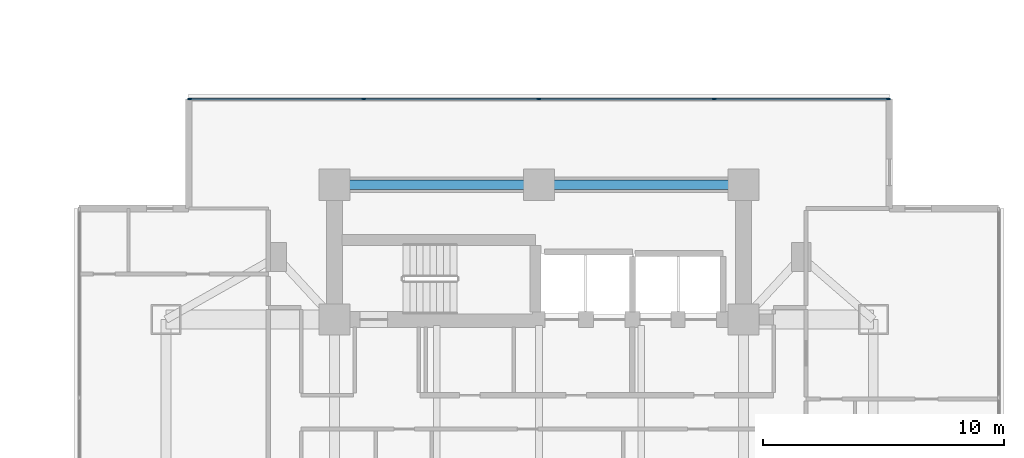
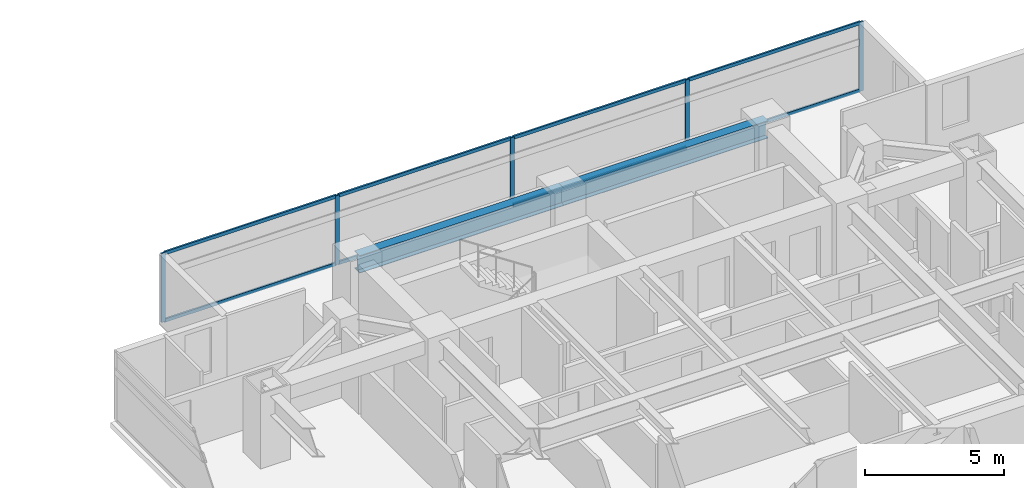
# One storey, part 12 of 27: 13 members, 2 beams, 1 element without a shape of its own.
"""IFC4 building model written with IfcOpenShell, lengths in metres."""

from ifc_helpers import new_model, si_unit, direction, frame, origin, origin_2d, place, context, subcontext, project, spatial, rectangle, i_section, extrude, material, material_profile, profile_set, type_object, element, aggregate, save


model = new_model("IFC4")

# Units and contexts
model_context = context("Model", 3, precision=1e-05, world=origin(), true_north=direction((0.0, 1.0)))
body_context = subcontext(model_context, "Body", "Model", "MODEL_VIEW")
ifc_project = project(units=[si_unit("LENGTHUNIT", "METRE"), si_unit("AREAUNIT", "SQUARE_METRE"), si_unit("VOLUMEUNIT", "CUBIC_METRE"), si_unit("PLANEANGLEUNIT", "RADIAN"), si_unit("MASSUNIT", "GRAM", prefix="KILO")], contexts=[model_context])

# Site, building, storey
site_placement = place(None, origin())
site = spatial("IfcSite", under=ifc_project, at=site_placement, CompositionType="ELEMENT")
building_placement = place(site_placement, origin())
building = spatial("IfcBuilding", under=site, at=building_placement, Name="Mirazonda Arch Towers", CompositionType="ELEMENT")
storey_placement = place(building_placement, frame((0.0, 0.0, 75.199951171875)))
storey = spatial("IfcBuildingStorey", under=building, at=storey_placement, Name="L21", CompositionType="ELEMENT", Elevation=75.199951171875)

# Beams
ifc_material_1 = material(Name="Steel ASTM A992 Grade 50", Category="steel")
ifc_material_profile_1 = material_profile(ifc_material_1, i_section(OverallWidth=0.381103515625, OverallDepth=0.77294921875, WebThickness=0.0166015625, FlangeThickness=0.027099609375, at=origin_2d()), Name="W30X173")
ifc_profile_set_1 = profile_set([ifc_material_profile_1], Name="Steel ASTM A992 Grade 50")
beam_type = type_object("IfcBeamType", Name="BM-INT-W30X173", PredefinedType="USERDEFINED", material=ifc_profile_set_1)
for number, where, z_axis, x_axis, name in (
    (1, (68.0, 40.800048828125, 2.673583984375), (1.0, 0.0, 0.0), (0.0, 1.0, 0.0), "L21 Floor Beam BM-T2-L21-CN1"),
    (2, (76.5, 40.800048828125, 2.673583984375), (1.0, 0.0, 0.0), (0.0, 1.0, 0.0), "L21 Floor Beam BM-T2-L21-CN2"),
):
    element("IfcBeam", number, at=place(storey_placement, frame(where, z_axis=z_axis, x_axis=x_axis)), inside=storey, type_object=beam_type, Name=name, ObjectType="GIRDER", PredefinedType="USERDEFINED", context=body_context, shape_type="SweptSolid", body=[
        extrude(i_section(OverallWidth=0.381103515625, OverallDepth=0.77294921875, WebThickness=0.0166015625, FlangeThickness=0.027099609375, at=origin_2d()), origin(), (0.0, 0.0, 1.0), 8.5),
    ])

# Curtain wall, members
ifc_material_2 = material(Name="Anodised Aluminium and Low-E Glass", Category="aluminium")
curtain_wall_type = type_object("IfcCurtainWallType", Name="CW-HTL-UNIT", PredefinedType="NOTDEFINED", material=ifc_material_2)
curtain_wall_placement = place(storey_placement, origin())
curtain_wall = element("IfcCurtainWall", 3, at=curtain_wall_placement, inside=storey, type_object=curtain_wall_type, Name="L21 T2 N Facade CW-L21-T2-N", PredefinedType="NOTDEFINED")
ifc_material_3 = material(Name="Anodised Aluminium Alloy", Category="aluminium")
ifc_material_profile_2 = material_profile(ifc_material_3, rectangle(XDim=0.074951171875, YDim=0.1650390625, at=origin_2d()), Name="ALU-MULL-75x165")
ifc_profile_set_2 = profile_set([ifc_material_profile_2], Name="Anodised Aluminium Alloy")
member_type_1 = type_object("IfcMemberType", Name="MULL-CW-HTL-UNIT", PredefinedType="MULLION", material=ifc_profile_set_2)
member_1_placement = place(storey_placement, frame((61.9775390625, 44.359130859375, 0.0), z_axis=(0.0, 0.0, 1.0), x_axis=(0.0, 1.0, 0.0)))
member_1 = element("IfcMember", 4, at=member_1_placement, type_object=member_type_1, Name="CW-112 mullion 1", PredefinedType="MULLION", context=body_context, shape_type="SweptSolid", body=[
    extrude(rectangle(XDim=0.074951171875, YDim=0.1650390625, at=origin_2d()), origin(), (0.0, 0.0, 1.0), 3.0400390625),
])
member_2_placement = place(storey_placement, frame((69.219970703125, 44.359130859375, 0.0), z_axis=(0.0, 0.0, 1.0), x_axis=(0.0, 1.0, 0.0)))
member_2 = element("IfcMember", 5, at=member_2_placement, type_object=member_type_1, Name="CW-112 mullion 2", PredefinedType="MULLION", context=body_context, shape_type="SweptSolid", body=[
    extrude(rectangle(XDim=0.074951171875, YDim=0.1650390625, at=origin_2d()), origin(), (0.0, 0.0, 1.0), 3.0400390625),
])
member_3_placement = place(storey_placement, frame((76.5, 44.359130859375, 0.0), z_axis=(0.0, 0.0, 1.0), x_axis=(0.0, 1.0, 0.0)))
member_3 = element("IfcMember", 6, at=member_3_placement, type_object=member_type_1, Name="CW-112 mullion 3", PredefinedType="MULLION", context=body_context, shape_type="SweptSolid", body=[
    extrude(rectangle(XDim=0.074951171875, YDim=0.1650390625, at=origin_2d()), origin(), (0.0, 0.0, 1.0), 3.0400390625),
])
member_4_placement = place(storey_placement, frame((83.780029296875, 44.359130859375, 0.0), z_axis=(0.0, 0.0, 1.0), x_axis=(0.0, 1.0, 0.0)))
member_4 = element("IfcMember", 7, at=member_4_placement, type_object=member_type_1, Name="CW-112 mullion 4", PredefinedType="MULLION", context=body_context, shape_type="SweptSolid", body=[
    extrude(rectangle(XDim=0.074951171875, YDim=0.1650390625, at=origin_2d()), origin(), (0.0, 0.0, 1.0), 3.0400390625),
])
member_5_placement = place(storey_placement, frame((91.0224609375, 44.359130859375, 0.0), z_axis=(0.0, 0.0, 1.0), x_axis=(0.0, 1.0, 0.0)))
member_5 = element("IfcMember", 8, at=member_5_placement, type_object=member_type_1, Name="CW-112 mullion 5", PredefinedType="MULLION", context=body_context, shape_type="SweptSolid", body=[
    extrude(rectangle(XDim=0.074951171875, YDim=0.1650390625, at=origin_2d()), origin(), (0.0, 0.0, 1.0), 3.0400390625),
])
ifc_material_profile_3 = material_profile(ifc_material_3, rectangle(XDim=0.074951171875, YDim=0.14501953125, at=origin_2d()), Name="ALU-TRAN-75x145")
ifc_profile_set_3 = profile_set([ifc_material_profile_3], Name="Anodised Aluminium Alloy")
member_type_2 = type_object("IfcMemberType", Name="TRAN-CW-HTL-UNIT", PredefinedType="USERDEFINED", material=ifc_profile_set_3)
member_6_placement = place(storey_placement, frame((62.014892578125, 44.359130859375, 0.03759765625), z_axis=(1.0, 0.0, 0.0), x_axis=(0.0, 1.0, 0.0)))
member_6 = element("IfcMember", 9, at=member_6_placement, type_object=member_type_2, Name="CW-112 transom 1.1", ObjectType="TRANSOM", PredefinedType="USERDEFINED", context=body_context, shape_type="SweptSolid", body=[
    extrude(rectangle(XDim=0.074951171875, YDim=0.14501953125, at=origin_2d()), origin(), (0.0, 0.0, 1.0), 7.167724609375),
])
member_7_placement = place(storey_placement, frame((62.014892578125, 44.359130859375, 3.00244140625), z_axis=(1.0, 0.0, 0.0), x_axis=(0.0, 1.0, 0.0)))
member_7 = element("IfcMember", 10, at=member_7_placement, type_object=member_type_2, Name="CW-112 transom 1.2", ObjectType="TRANSOM", PredefinedType="USERDEFINED", context=body_context, shape_type="SweptSolid", body=[
    extrude(rectangle(XDim=0.074951171875, YDim=0.14501953125, at=origin_2d()), origin(), (0.0, 0.0, 1.0), 7.167724609375),
])
member_8_placement = place(storey_placement, frame((69.257568359375, 44.359130859375, 0.03759765625), z_axis=(1.0, 0.0, 0.0), x_axis=(0.0, 1.0, 0.0)))
member_8 = element("IfcMember", 11, at=member_8_placement, type_object=member_type_2, Name="CW-112 transom 2.1", ObjectType="TRANSOM", PredefinedType="USERDEFINED", context=body_context, shape_type="SweptSolid", body=[
    extrude(rectangle(XDim=0.074951171875, YDim=0.14501953125, at=origin_2d()), origin(), (0.0, 0.0, 1.0), 7.204833984375),
])
member_9_placement = place(storey_placement, frame((69.257568359375, 44.359130859375, 3.00244140625), z_axis=(1.0, 0.0, 0.0), x_axis=(0.0, 1.0, 0.0)))
member_9 = element("IfcMember", 12, at=member_9_placement, type_object=member_type_2, Name="CW-112 transom 2.2", ObjectType="TRANSOM", PredefinedType="USERDEFINED", context=body_context, shape_type="SweptSolid", body=[
    extrude(rectangle(XDim=0.074951171875, YDim=0.14501953125, at=origin_2d()), origin(), (0.0, 0.0, 1.0), 7.204833984375),
])
member_10_placement = place(storey_placement, frame((76.53759765625, 44.359130859375, 0.03759765625), z_axis=(1.0, 0.0, 0.0), x_axis=(0.0, 1.0, 0.0)))
member_10 = element("IfcMember", 13, at=member_10_placement, type_object=member_type_2, Name="CW-112 transom 3.1", ObjectType="TRANSOM", PredefinedType="USERDEFINED", context=body_context, shape_type="SweptSolid", body=[
    extrude(rectangle(XDim=0.074951171875, YDim=0.14501953125, at=origin_2d()), origin(), (0.0, 0.0, 1.0), 7.204833984375),
])
member_11_placement = place(storey_placement, frame((76.53759765625, 44.359130859375, 3.00244140625), z_axis=(1.0, 0.0, 0.0), x_axis=(0.0, 1.0, 0.0)))
member_11 = element("IfcMember", 14, at=member_11_placement, type_object=member_type_2, Name="CW-112 transom 3.2", ObjectType="TRANSOM", PredefinedType="USERDEFINED", context=body_context, shape_type="SweptSolid", body=[
    extrude(rectangle(XDim=0.074951171875, YDim=0.14501953125, at=origin_2d()), origin(), (0.0, 0.0, 1.0), 7.204833984375),
])
member_12_placement = place(storey_placement, frame((83.8173828125, 44.359130859375, 0.03759765625), z_axis=(1.0, 0.0, 0.0), x_axis=(0.0, 1.0, 0.0)))
member_12 = element("IfcMember", 15, at=member_12_placement, type_object=member_type_2, Name="CW-112 transom 4.1", ObjectType="TRANSOM", PredefinedType="USERDEFINED", context=body_context, shape_type="SweptSolid", body=[
    extrude(rectangle(XDim=0.074951171875, YDim=0.14501953125, at=origin_2d()), origin(), (0.0, 0.0, 1.0), 7.167724609375),
])
member_13_placement = place(storey_placement, frame((83.8173828125, 44.359130859375, 3.00244140625), z_axis=(1.0, 0.0, 0.0), x_axis=(0.0, 1.0, 0.0)))
member_13 = element("IfcMember", 16, at=member_13_placement, type_object=member_type_2, Name="CW-112 transom 4.2", ObjectType="TRANSOM", PredefinedType="USERDEFINED", context=body_context, shape_type="SweptSolid", body=[
    extrude(rectangle(XDim=0.074951171875, YDim=0.14501953125, at=origin_2d()), origin(), (0.0, 0.0, 1.0), 7.167724609375),
])
aggregate(curtain_wall, [member_1, member_2, member_3, member_4, member_5, member_6, member_7, member_8, member_9, member_10, member_11, member_12, member_13])

save(model, "model.ifc")
